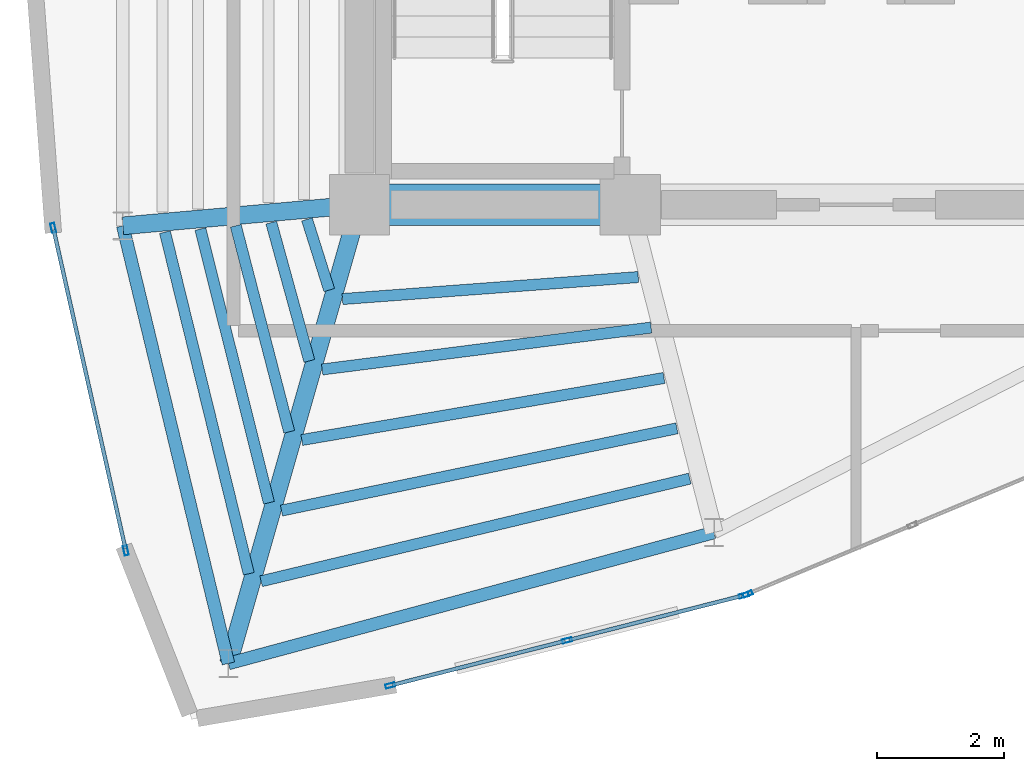
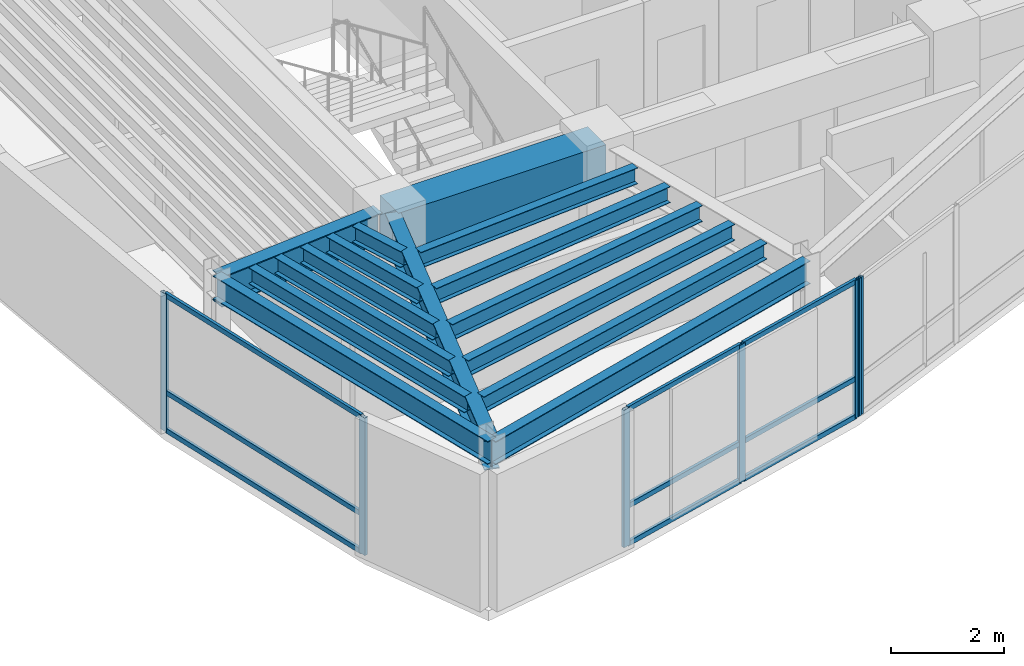
# One storey, part 2 of 14: 15 beams, 15 members, 3 elements without a shape of their own.
"""IFC4 building model written with IfcOpenShell, lengths in metres."""

from ifc_helpers import new_model, si_unit, direction, frame, origin, origin_2d, place, context, subcontext, project, spatial, rectangle, hollow_rectangle, i_section, extrude, material, layer, layer_set, material_profile, profile_set, type_object, element, aggregate, save


model = new_model("IFC4")

# Units and contexts
model_context = context("Model", 3, precision=1e-05, world=origin(), true_north=direction((0.0, 1.0)))
body_context = subcontext(model_context, "Body", "Model", "MODEL_VIEW")
ifc_project = project(units=[si_unit("LENGTHUNIT", "METRE"), si_unit("AREAUNIT", "SQUARE_METRE"), si_unit("VOLUMEUNIT", "CUBIC_METRE"), si_unit("PLANEANGLEUNIT", "RADIAN"), si_unit("MASSUNIT", "GRAM", prefix="KILO")], contexts=[model_context])

# Site, building, storey
site_placement = place(None, origin())
site = spatial("IfcSite", under=ifc_project, at=site_placement, CompositionType="ELEMENT")
building_placement = place(site_placement, origin())
building = spatial("IfcBuilding", under=site, at=building_placement, Name="Menara Vayukalpa", CompositionType="ELEMENT")
storey_placement = place(building_placement, frame((0.0, 0.0, 305.6201171875)))
storey = spatial("IfcBuildingStorey", under=building, at=storey_placement, Name="L78", CompositionType="ELEMENT", Elevation=305.6201171875)

# Beams
ifc_material_1 = material(Name="Concrete C60/75", Category="concrete")
ifc_material_profile_1 = material_profile(ifc_material_1, rectangle(XDim=0.64990234375, YDim=0.85009765625, at=origin_2d()), Name="RC 650x850")
ifc_profile_set_1 = profile_set([ifc_material_profile_1], Name="Concrete C60/75")
beam_type_1 = type_object("IfcBeamType", Name="BM-CB1", PredefinedType="BEAM", material=ifc_profile_set_1)
beam_1_placement = place(storey_placement, frame((17.800048828125, 17.199951171875, 2.554931640625), z_axis=(1.0, 0.0, 0.0), x_axis=(0.0, 1.0, 0.0)))
element("IfcBeam", 1, at=beam_1_placement, inside=storey, type_object=beam_type_1, Name="L78 Core Tie Beam CBR1", PredefinedType="BEAM", context=body_context, shape_type="SweptSolid", body=[
    extrude(rectangle(XDim=0.64990234375, YDim=0.85009765625, at=origin_2d()), origin(), (0.0, 0.0, 1.0), 4.25),
])
ifc_material_2 = material(Name="Steel S355", Category="steel")
ifc_material_profile_2 = material_profile(ifc_material_2, i_section(OverallWidth=0.280029296875, OverallDepth=0.64990234375, WebThickness=0.012939453125, FlangeThickness=0.02197265625, at=origin_2d()), Name="WF 650x280x13x22")
ifc_profile_set_2 = profile_set([ifc_material_profile_2], Name="Steel S355")
beam_type_2 = type_object("IfcBeamType", Name="BM-PG6", PredefinedType="BEAM", material=ifc_profile_set_2)
beam_2_placement = place(storey_placement, frame((17.551025390625, 17.177734375, 2.65478515625), z_axis=(-0.996018615253, -0.089145488221, 0.0), x_axis=(0.089145488221, -0.996018615253, 0.0)))
element("IfcBeam", 2, at=beam_2_placement, inside=storey, type_object=beam_type_2, Name="L78 Primary Radial Girder RG06", PredefinedType="BEAM", context=body_context, shape_type="SweptSolid", body=[
    extrude(i_section(OverallWidth=0.280029296875, OverallDepth=0.64990234375, WebThickness=0.012939453125, FlangeThickness=0.02197265625, at=origin_2d()), origin(), (0.0, 0.0, 1.0), 3.483642578125),
])
beam_3_placement = place(storey_placement, frame((17.731201171875, 16.959716796875, 2.65478515625), z_axis=(-0.274721127897, -0.961523947641, 0.0), x_axis=(0.961523947641, -0.274721127897, 0.0)))
element("IfcBeam", 3, at=beam_3_placement, inside=storey, type_object=beam_type_2, Name="L78 Primary Radial Girder RG07", PredefinedType="BEAM", context=body_context, shape_type="SweptSolid", body=[
    extrude(i_section(OverallWidth=0.280029296875, OverallDepth=0.64990234375, WebThickness=0.012939453125, FlangeThickness=0.02197265625, at=origin_2d()), origin(), (0.0, 0.0, 1.0), 7.246337890625),
])
ifc_material_3 = material(Name="Steel S355", Category="steel")
ifc_material_profile_3 = material_profile(ifc_material_3, i_section(OverallWidth=0.175048828125, OverallDepth=0.35009765625, WebThickness=0.007080078125, FlangeThickness=0.010986328125, at=origin_2d()), Name="WF 350x175x7x11")
ifc_profile_set_3 = profile_set([ifc_material_profile_3], Name="Steel S355")
beam_type_3 = type_object("IfcBeamType", Name="BM-SJ3", PredefinedType="JOIST", material=ifc_profile_set_3)
beam_4_placement = place(storey_placement, frame((16.974609375, 16.96923828125, 2.804931640625), z_axis=(0.300720135723, -0.953712430437, 0.0), x_axis=(0.953712430437, 0.300720135723, 0.0)))
element("IfcBeam", 4, at=beam_4_placement, inside=storey, type_object=beam_type_3, Name="L78 Secondary Floor Joist SJ06-1", PredefinedType="JOIST", context=body_context, shape_type="SweptSolid", body=[
    extrude(i_section(OverallWidth=0.175048828125, OverallDepth=0.35009765625, WebThickness=0.007080078125, FlangeThickness=0.010986328125, at=origin_2d()), origin(), (0.0, 0.0, 1.0), 1.1650390625),
])
beam_5_placement = place(storey_placement, frame((16.413818359375, 16.91796875, 2.804931640625), z_axis=(0.265408257597, -0.964136119435, 0.0), x_axis=(0.964136119435, 0.265408257597, 0.0)))
element("IfcBeam", 5, at=beam_5_placement, inside=storey, type_object=beam_type_3, Name="L78 Secondary Floor Joist SJ06-2", PredefinedType="JOIST", context=body_context, shape_type="SweptSolid", body=[
    extrude(i_section(OverallWidth=0.175048828125, OverallDepth=0.35009765625, WebThickness=0.007080078125, FlangeThickness=0.010986328125, at=origin_2d()), origin(), (0.0, 0.0, 1.0), 2.253662109375),
])
beam_6_placement = place(storey_placement, frame((15.8564453125, 16.86767578125, 2.804931640625), z_axis=(0.25101283466, -0.96798375856, 0.0), x_axis=(0.96798375856, 0.25101283466, 0.0)))
element("IfcBeam", 6, at=beam_6_placement, inside=storey, type_object=beam_type_3, Name="L78 Secondary Floor Joist SJ06-3", PredefinedType="JOIST", context=body_context, shape_type="SweptSolid", body=[
    extrude(i_section(OverallWidth=0.175048828125, OverallDepth=0.35009765625, WebThickness=0.007080078125, FlangeThickness=0.010986328125, at=origin_2d()), origin(), (0.0, 0.0, 1.0), 3.343994140625),
])
beam_7_placement = place(storey_placement, frame((15.300048828125, 16.817626953125, 2.804931640625), z_axis=(0.243183291128, -0.969980353882, 0.0), x_axis=(0.969980353882, 0.243183291128, 0.0)))
element("IfcBeam", 7, at=beam_7_placement, inside=storey, type_object=beam_type_3, Name="L78 Secondary Floor Joist SJ06-4", PredefinedType="JOIST", context=body_context, shape_type="SweptSolid", body=[
    extrude(i_section(OverallWidth=0.175048828125, OverallDepth=0.35009765625, WebThickness=0.007080078125, FlangeThickness=0.010986328125, at=origin_2d()), origin(), (0.0, 0.0, 1.0), 4.434326171875),
])
beam_8_placement = place(storey_placement, frame((14.744140625, 16.767578125, 2.804931640625), z_axis=(0.238311967576, -0.971188656292, 0.0), x_axis=(0.971188656292, 0.238311967576, 0.0)))
element("IfcBeam", 8, at=beam_8_placement, inside=storey, type_object=beam_type_3, Name="L78 Secondary Floor Joist SJ06-5", PredefinedType="JOIST", context=body_context, shape_type="SweptSolid", body=[
    extrude(i_section(OverallWidth=0.175048828125, OverallDepth=0.35009765625, WebThickness=0.007080078125, FlangeThickness=0.010986328125, at=origin_2d()), origin(), (0.0, 0.0, 1.0), 5.52490234375),
])
beam_9_placement = place(storey_placement, frame((17.532470703125, 15.71728515625, 2.804931640625), z_axis=(0.997251719177, 0.074087843793, 0.0), x_axis=(-0.074087843793, 0.997251719177, 0.0)))
element("IfcBeam", 9, at=beam_9_placement, inside=storey, type_object=beam_type_3, Name="L78 Secondary Floor Joist SJ07-1", PredefinedType="JOIST", context=body_context, shape_type="SweptSolid", body=[
    extrude(i_section(OverallWidth=0.175048828125, OverallDepth=0.35009765625, WebThickness=0.007080078125, FlangeThickness=0.010986328125, at=origin_2d()), origin(), (0.0, 0.0, 1.0), 4.659423828125),
])
beam_10_placement = place(storey_placement, frame((17.213134765625, 14.61083984375, 2.804931640625), z_axis=(0.99198755764, 0.126335606566, 0.0), x_axis=(-0.126335606566, 0.99198755764, 0.0)))
element("IfcBeam", 10, at=beam_10_placement, inside=storey, type_object=beam_type_3, Name="L78 Secondary Floor Joist SJ07-2", PredefinedType="JOIST", context=body_context, shape_type="SweptSolid", body=[
    extrude(i_section(OverallWidth=0.175048828125, OverallDepth=0.35009765625, WebThickness=0.007080078125, FlangeThickness=0.010986328125, at=origin_2d()), origin(), (0.0, 0.0, 1.0), 5.2099609375),
])
beam_11_placement = place(storey_placement, frame((16.8935546875, 13.5029296875, 2.804931640625), z_axis=(0.985653829347, 0.168779526877, 0.0), x_axis=(-0.168779526877, 0.985653829347, 0.0)))
element("IfcBeam", 11, at=beam_11_placement, inside=storey, type_object=beam_type_3, Name="L78 Secondary Floor Joist SJ07-3", PredefinedType="JOIST", context=body_context, shape_type="SweptSolid", body=[
    extrude(i_section(OverallWidth=0.175048828125, OverallDepth=0.35009765625, WebThickness=0.007080078125, FlangeThickness=0.010986328125, at=origin_2d()), origin(), (0.0, 0.0, 1.0), 5.77294921875),
])
beam_12_placement = place(storey_placement, frame((16.573974609375, 12.393798828125, 2.804931640625), z_axis=(0.979026809099, 0.203731458211, 0.0), x_axis=(-0.203731458211, 0.979026809099, 0.0)))
element("IfcBeam", 12, at=beam_12_placement, inside=storey, type_object=beam_type_3, Name="L78 Secondary Floor Joist SJ07-4", PredefinedType="JOIST", context=body_context, shape_type="SweptSolid", body=[
    extrude(i_section(OverallWidth=0.175048828125, OverallDepth=0.35009765625, WebThickness=0.007080078125, FlangeThickness=0.010986328125, at=origin_2d()), origin(), (0.0, 0.0, 1.0), 6.34521484375),
])
beam_13_placement = place(storey_placement, frame((16.25439453125, 11.28369140625, 2.804931640625), z_axis=(0.972498563376, 0.232908875382, 0.0), x_axis=(-0.232908875382, 0.972498563376, 0.0)))
element("IfcBeam", 13, at=beam_13_placement, inside=storey, type_object=beam_type_3, Name="L78 Secondary Floor Joist SJ07-5", PredefinedType="JOIST", context=body_context, shape_type="SweptSolid", body=[
    extrude(i_section(OverallWidth=0.175048828125, OverallDepth=0.35009765625, WebThickness=0.007080078125, FlangeThickness=0.010986328125, at=origin_2d()), origin(), (0.0, 0.0, 1.0), 6.924560546875),
])
ifc_material_4 = material(Name="Steel S355", Category="steel")
ifc_material_profile_4 = material_profile(ifc_material_4, i_section(OverallWidth=0.199951171875, OverallDepth=0.5, WebThickness=0.010009765625, FlangeThickness=0.01611328125, at=origin_2d()), Name="WF 500x200x10x16")
ifc_profile_set_4 = profile_set([ifc_material_profile_4], Name="Steel S355")
beam_type_4 = type_object("IfcBeamType", Name="BM-SP3", PredefinedType="SPANDREL", material=ifc_profile_set_4)
beam_14_placement = place(storey_placement, frame((14.081298828125, 16.8671875, 2.72998046875), z_axis=(0.234600039411, -0.97209198202, 0.0), x_axis=(0.97209198202, 0.234600039411, 0.0)))
element("IfcBeam", 14, at=beam_14_placement, inside=storey, type_object=beam_type_4, Name="L78 Perimeter Spandrel Beam SP06", PredefinedType="SPANDREL", context=body_context, shape_type="SweptSolid", body=[
    extrude(i_section(OverallWidth=0.199951171875, OverallDepth=0.5, WebThickness=0.010009765625, FlangeThickness=0.01611328125, at=origin_2d()), origin(), (0.0, 0.0, 1.0), 7.072265625),
])
beam_15_placement = place(storey_placement, frame((15.740478515625, 9.9921875, 2.72998046875), z_axis=(0.965485889412, 0.260455365361, 0.0), x_axis=(-0.260455365361, 0.965485889412, 0.0)))
element("IfcBeam", 15, at=beam_15_placement, inside=storey, type_object=beam_type_4, Name="L78 Perimeter Spandrel Beam SP07", PredefinedType="SPANDREL", context=body_context, shape_type="SweptSolid", body=[
    extrude(i_section(OverallWidth=0.199951171875, OverallDepth=0.5, WebThickness=0.010009765625, FlangeThickness=0.01611328125, at=origin_2d()), origin(), (0.0, 0.0, 1.0), 7.90283203125),
])

# Curtain wall, members
ifc_material_5 = material(Name="Anodised Terracotta Aluminium Alloy 6063-T6", Category="masonry")
ifc_layer = layer(ifc_material_5, 0.14990234375)
ifc_layer_set = layer_set([ifc_layer], Name="Anodised Terracotta Aluminium Alloy 6063-T6")
curtain_wall_type = type_object("IfcCurtainWallType", Name="CW-CW7", PredefinedType="USERDEFINED", material=ifc_layer_set)
curtain_wall_1_placement = place(storey_placement, origin())
curtain_wall_1 = element("IfcCurtainWall", 16, at=curtain_wall_1_placement, inside=storey, type_object=curtain_wall_type, Name="L78 Crown Drum Screened Curtain Wall CW7 12", ObjectType="UNITISED", PredefinedType="USERDEFINED")
ifc_material_6 = material(Name="Anodised Terracotta Aluminium Alloy 6063-T6", Category="masonry")
ifc_material_profile_5 = material_profile(ifc_material_6, hollow_rectangle(XDim=0.06494140625, YDim=0.14990234375, WallThickness=0.00341796875, at=origin_2d()), Name="ALU 65x150x3.5")
ifc_profile_set_5 = profile_set([ifc_material_profile_5], Name="Anodised Terracotta Aluminium Alloy 6063-T6")
member_type_1 = type_object("IfcMemberType", Name="CWM-CW7", PredefinedType="MULLION", material=ifc_profile_set_5)
member_1_placement = place(storey_placement, frame((12.988525390625, 16.83544921875, 0.0), z_axis=(0.0, 0.0, 1.0), x_axis=(0.975608941973, 0.219515813421, 0.0)))
member_1 = element("IfcMember", 17, at=member_1_placement, type_object=member_type_1, Name="CW7 mullion 1", PredefinedType="MULLION", context=body_context, shape_type="SweptSolid", body=[
    extrude(hollow_rectangle(XDim=0.06494140625, YDim=0.14990234375, WallThickness=0.00341796875, at=origin_2d()), origin(), (0.0, 0.0, 1.0), 2.97998046875),
])
member_2_placement = place(storey_placement, frame((14.129150390625, 11.76611328125, 0.0), z_axis=(0.0, 0.0, 1.0), x_axis=(0.975608941973, 0.219515813421, 0.0)))
member_2 = element("IfcMember", 18, at=member_2_placement, type_object=member_type_1, Name="CW7 mullion 2", PredefinedType="MULLION", context=body_context, shape_type="SweptSolid", body=[
    extrude(hollow_rectangle(XDim=0.06494140625, YDim=0.14990234375, WallThickness=0.00341796875, at=origin_2d()), origin(), (0.0, 0.0, 1.0), 2.97998046875),
])

curtain_wall_2_placement = place(storey_placement, origin())
curtain_wall_2 = element("IfcCurtainWall", 19, at=curtain_wall_2_placement, inside=storey, type_object=curtain_wall_type, Name="L78 Crown Drum Screened Curtain Wall CW7 15", ObjectType="UNITISED", PredefinedType="USERDEFINED")
member_3_placement = place(storey_placement, frame((18.284423828125, 9.64599609375, 0.0), z_axis=(0.0, 0.0, 1.0), x_axis=(-0.247123764219, 0.968983924097, 0.0)))
member_3 = element("IfcMember", 20, at=member_3_placement, type_object=member_type_1, Name="CW7 mullion 1", PredefinedType="MULLION", context=body_context, shape_type="SweptSolid", body=[
    extrude(hollow_rectangle(XDim=0.06494140625, YDim=0.14990234375, WallThickness=0.00341796875, at=origin_2d()), origin(), (0.0, 0.0, 1.0), 2.97998046875),
])
member_4_placement = place(storey_placement, frame((21.0615234375, 10.354248046875, 0.0), z_axis=(0.0, 0.0, 1.0), x_axis=(-0.247123764219, 0.968983924097, 0.0)))
member_4 = element("IfcMember", 21, at=member_4_placement, type_object=member_type_1, Name="CW7 mullion 2", PredefinedType="MULLION", context=body_context, shape_type="SweptSolid", body=[
    extrude(hollow_rectangle(XDim=0.06494140625, YDim=0.14990234375, WallThickness=0.00341796875, at=origin_2d()), origin(), (0.0, 0.0, 1.0), 2.97998046875),
])
member_5_placement = place(storey_placement, frame((23.83837890625, 11.062255859375, 0.0), z_axis=(0.0, 0.0, 1.0), x_axis=(-0.247123764219, 0.968983924097, 0.0)))
member_5 = element("IfcMember", 22, at=member_5_placement, type_object=member_type_1, Name="CW7 mullion 3", PredefinedType="MULLION", context=body_context, shape_type="SweptSolid", body=[
    extrude(hollow_rectangle(XDim=0.06494140625, YDim=0.14990234375, WallThickness=0.00341796875, at=origin_2d()), origin(), (0.0, 0.0, 1.0), 2.97998046875),
])

# Curtain wall, member
curtain_wall_3_placement = place(storey_placement, origin())
curtain_wall_3 = element("IfcCurtainWall", 23, at=curtain_wall_3_placement, inside=storey, type_object=curtain_wall_type, Name="L78 Crown Drum Screened Curtain Wall CW7 16", ObjectType="UNITISED", PredefinedType="USERDEFINED")
member_6_placement = place(storey_placement, frame((23.89990234375, 11.0830078125, 0.0), z_axis=(0.0, 0.0, 1.0), x_axis=(-0.385898361946, 0.922541302191, 0.0)))
member_6 = element("IfcMember", 24, at=member_6_placement, type_object=member_type_1, Name="CW7 mullion 1", PredefinedType="MULLION", context=body_context, shape_type="SweptSolid", body=[
    extrude(hollow_rectangle(XDim=0.06494140625, YDim=0.14990234375, WallThickness=0.00341796875, at=origin_2d()), origin(), (0.0, 0.0, 1.0), 2.97998046875),
])
aggregate(curtain_wall_3, [member_6])

# Member
ifc_material_7 = material(Name="Anodised Terracotta Aluminium Alloy 6063-T6", Category="masonry")
ifc_material_profile_6 = material_profile(ifc_material_7, hollow_rectangle(XDim=0.06005859375, YDim=0.10498046875, WallThickness=0.0029296875, at=origin_2d()), Name="ALU 60x105x3")
ifc_profile_set_6 = profile_set([ifc_material_profile_6], Name="Anodised Terracotta Aluminium Alloy 6063-T6")
member_type_2 = type_object("IfcMemberType", Name="CWT-CW7", PredefinedType="USERDEFINED", material=ifc_profile_set_6)
member_7_placement = place(storey_placement, frame((12.99560546875, 16.8037109375, 0.02978515625), z_axis=(0.219539368084, -0.975603641784, 0.0), x_axis=(0.975603641784, 0.219539368084, 0.0)))
member_7 = element("IfcMember", 25, at=member_7_placement, type_object=member_type_2, Name="CW7 transom 1.1", ObjectType="TRANSOM", PredefinedType="USERDEFINED", context=body_context, shape_type="SweptSolid", body=[
    extrude(hollow_rectangle(XDim=0.06005859375, YDim=0.10498046875, WallThickness=0.0029296875, at=origin_2d()), origin(), (0.0, 0.0, 1.0), 5.131103515625),
])

member_8_placement = place(storey_placement, frame((12.99560546875, 16.8037109375, 0.849853515625), z_axis=(0.219539368084, -0.975603641784, 0.0), x_axis=(0.975603641784, 0.219539368084, 0.0)))
member_8 = element("IfcMember", 26, at=member_8_placement, type_object=member_type_2, Name="CW7 transom 1.2", ObjectType="TRANSOM", PredefinedType="USERDEFINED", context=body_context, shape_type="SweptSolid", body=[
    extrude(hollow_rectangle(XDim=0.06005859375, YDim=0.10498046875, WallThickness=0.0029296875, at=origin_2d()), origin(), (0.0, 0.0, 1.0), 5.131103515625),
])

member_9_placement = place(storey_placement, frame((12.99560546875, 16.8037109375, 2.949951171875), z_axis=(0.219539368084, -0.975603641784, 0.0), x_axis=(0.975603641784, 0.219539368084, 0.0)))
member_9 = element("IfcMember", 27, at=member_9_placement, type_object=member_type_2, Name="CW7 transom 1.3", ObjectType="TRANSOM", PredefinedType="USERDEFINED", context=body_context, shape_type="SweptSolid", body=[
    extrude(hollow_rectangle(XDim=0.06005859375, YDim=0.10498046875, WallThickness=0.0029296875, at=origin_2d()), origin(), (0.0, 0.0, 1.0), 5.131103515625),
])

aggregate(curtain_wall_1, [member_1, member_2, member_7, member_8, member_9])

member_10_placement = place(storey_placement, frame((18.31591796875, 9.654052734375, 0.02978515625), z_axis=(0.968988349591, 0.247106411, 0.0), x_axis=(-0.247106411, 0.968988349591, 0.0)))
member_10 = element("IfcMember", 28, at=member_10_placement, type_object=member_type_2, Name="CW7 transom 1.1", ObjectType="TRANSOM", PredefinedType="USERDEFINED", context=body_context, shape_type="SweptSolid", body=[
    extrude(hollow_rectangle(XDim=0.06005859375, YDim=0.10498046875, WallThickness=0.0029296875, at=origin_2d()), origin(), (0.0, 0.0, 1.0), 2.801025390625),
])

member_11_placement = place(storey_placement, frame((18.31591796875, 9.654052734375, 0.849853515625), z_axis=(0.968988349591, 0.247106411, 0.0), x_axis=(-0.247106411, 0.968988349591, 0.0)))
member_11 = element("IfcMember", 29, at=member_11_placement, type_object=member_type_2, Name="CW7 transom 1.2", ObjectType="TRANSOM", PredefinedType="USERDEFINED", context=body_context, shape_type="SweptSolid", body=[
    extrude(hollow_rectangle(XDim=0.06005859375, YDim=0.10498046875, WallThickness=0.0029296875, at=origin_2d()), origin(), (0.0, 0.0, 1.0), 2.801025390625),
])

member_12_placement = place(storey_placement, frame((18.31591796875, 9.654052734375, 2.949951171875), z_axis=(0.968988349591, 0.247106411, 0.0), x_axis=(-0.247106411, 0.968988349591, 0.0)))
member_12 = element("IfcMember", 30, at=member_12_placement, type_object=member_type_2, Name="CW7 transom 1.3", ObjectType="TRANSOM", PredefinedType="USERDEFINED", context=body_context, shape_type="SweptSolid", body=[
    extrude(hollow_rectangle(XDim=0.06005859375, YDim=0.10498046875, WallThickness=0.0029296875, at=origin_2d()), origin(), (0.0, 0.0, 1.0), 2.801025390625),
])

member_13_placement = place(storey_placement, frame((21.093017578125, 10.362060546875, 0.02978515625), z_axis=(0.968962149671, 0.247209127066, 0.0), x_axis=(-0.247209127066, 0.968962149671, 0.0)))
member_13 = element("IfcMember", 31, at=member_13_placement, type_object=member_type_2, Name="CW7 transom 2.1", ObjectType="TRANSOM", PredefinedType="USERDEFINED", context=body_context, shape_type="SweptSolid", body=[
    extrude(hollow_rectangle(XDim=0.06005859375, YDim=0.10498046875, WallThickness=0.0029296875, at=origin_2d()), origin(), (0.0, 0.0, 1.0), 2.80078125),
])

member_14_placement = place(storey_placement, frame((21.093017578125, 10.362060546875, 0.849853515625), z_axis=(0.968962149671, 0.247209127066, 0.0), x_axis=(-0.247209127066, 0.968962149671, 0.0)))
member_14 = element("IfcMember", 32, at=member_14_placement, type_object=member_type_2, Name="CW7 transom 2.2", ObjectType="TRANSOM", PredefinedType="USERDEFINED", context=body_context, shape_type="SweptSolid", body=[
    extrude(hollow_rectangle(XDim=0.06005859375, YDim=0.10498046875, WallThickness=0.0029296875, at=origin_2d()), origin(), (0.0, 0.0, 1.0), 2.80078125),
])

member_15_placement = place(storey_placement, frame((21.093017578125, 10.362060546875, 2.949951171875), z_axis=(0.968962149671, 0.247209127066, 0.0), x_axis=(-0.247209127066, 0.968962149671, 0.0)))
member_15 = element("IfcMember", 33, at=member_15_placement, type_object=member_type_2, Name="CW7 transom 2.3", ObjectType="TRANSOM", PredefinedType="USERDEFINED", context=body_context, shape_type="SweptSolid", body=[
    extrude(hollow_rectangle(XDim=0.06005859375, YDim=0.10498046875, WallThickness=0.0029296875, at=origin_2d()), origin(), (0.0, 0.0, 1.0), 2.80078125),
])

aggregate(curtain_wall_2, [member_3, member_4, member_5, member_10, member_11, member_12, member_13, member_14, member_15])

save(model, "model.ifc")
